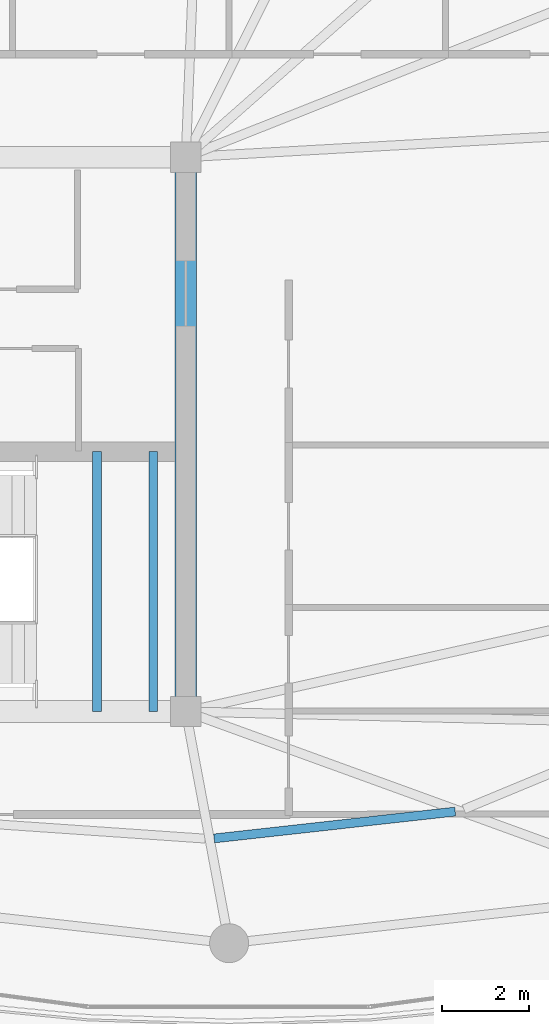
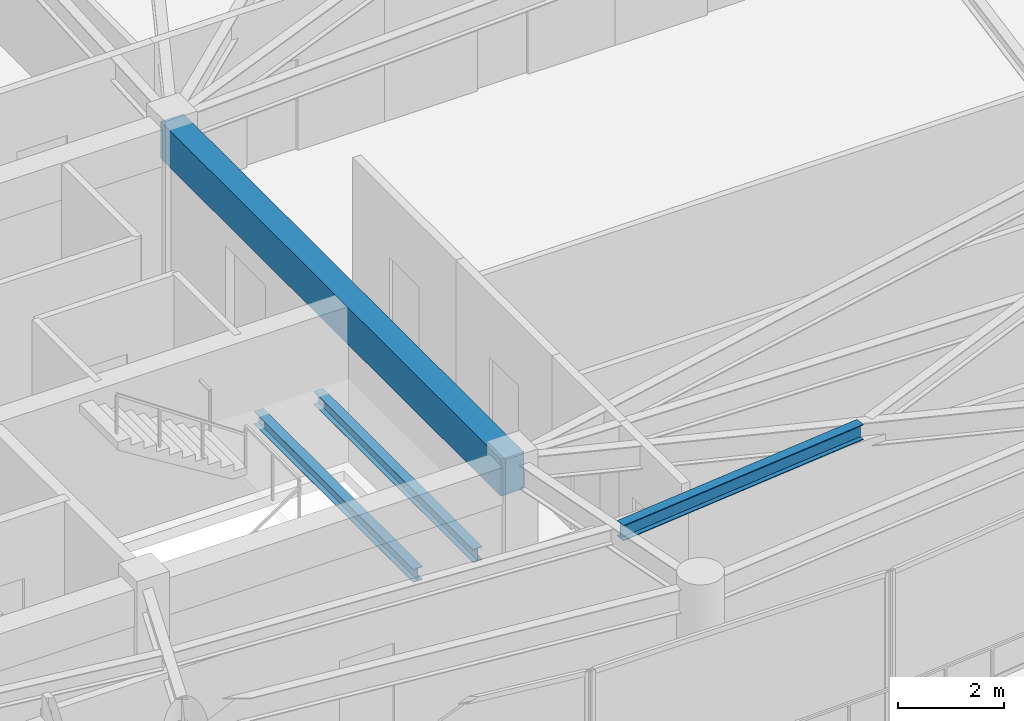
# One storey, part 8 of 30: 4 beams.
"""IFC4 building model written with IfcOpenShell, lengths in metres."""

from ifc_helpers import new_model, si_unit, direction, frame, origin, origin_2d, place, context, subcontext, project, spatial, rectangle, i_section, extrude, material, material_profile, profile_set, type_object, element, save


model = new_model("IFC4")

# Units and contexts
model_context = context("Model", 3, precision=1e-05, world=origin(), true_north=direction((0.0, 1.0)))
body_context = subcontext(model_context, "Body", "Model", "MODEL_VIEW")
ifc_project = project(units=[si_unit("LENGTHUNIT", "METRE"), si_unit("AREAUNIT", "SQUARE_METRE"), si_unit("VOLUMEUNIT", "CUBIC_METRE"), si_unit("PLANEANGLEUNIT", "RADIAN"), si_unit("MASSUNIT", "GRAM", prefix="KILO")], contexts=[model_context])

# Site, building, storey
site_placement = place(None, origin())
site = spatial("IfcSite", under=ifc_project, at=site_placement, CompositionType="ELEMENT")
building_placement = place(site_placement, origin())
building = spatial("IfcBuilding", under=site, at=building_placement, Name="Kazevale Care Tower and Concert Hall", CompositionType="ELEMENT")
storey_placement = place(building_placement, frame((0.0, 0.0, 258.60009765625)))
storey = spatial("IfcBuildingStorey", under=building, at=storey_placement, Name="L68", CompositionType="ELEMENT", Elevation=258.60009765625)

# Beams
ifc_material_1 = material(Name="Concrete C60", Category="concrete")
ifc_material_profile_1 = material_profile(ifc_material_1, rectangle(XDim=0.5, YDim=0.85009765625, at=origin_2d()), Name="RC-B500x850")
ifc_profile_set_1 = profile_set([ifc_material_profile_1], Name="Concrete C60")
beam_type_1 = type_object("IfcBeamType", Name="Core Coupling Beam RC500x850", PredefinedType="LINTEL", material=ifc_profile_set_1)
beam_1_placement = place(storey_placement, frame((44.0, 23.60009765625, 3.135009765625), z_axis=(0.0, 1.0, 0.0), x_axis=(-1.0, 0.0, 0.0)))
element("IfcBeam", 1, at=beam_1_placement, inside=storey, type_object=beam_type_1, Name="beam:L68:coretie:4", PredefinedType="LINTEL", context=body_context, shape_type="SweptSolid", body=[
    extrude(rectangle(XDim=0.5, YDim=0.85009765625, at=origin_2d()), origin(), (0.0, 0.0, 1.0), 12.7998046875),
])
ifc_material_2 = material(Name="Steel ASTM A572 Gr 50", Category="steel")
ifc_material_profile_2 = material_profile(ifc_material_2, i_section(OverallWidth=0.205078125, OverallDepth=0.35400390625, WebThickness=0.009521484375, FlangeThickness=0.016845703125, at=origin_2d()), Name="W360x79")
ifc_profile_set_2 = profile_set([ifc_material_profile_2], Name="Steel ASTM A572 Gr 50")
beam_type_2 = type_object("IfcBeamType", Name="Secondary Floor Joist W360x79", PredefinedType="JOIST", material=ifc_profile_set_2)
beam_2_placement = place(storey_placement, frame((44.654052734375, 20.6689453125, 3.3828125), z_axis=(0.99385286667, 0.110708985236, 0.0), x_axis=(-0.110708985236, 0.99385286667, 0.0)))
element("IfcBeam", 2, at=beam_2_placement, inside=storey, type_object=beam_type_2, Name="beam:L68:joist:13", PredefinedType="JOIST", context=body_context, shape_type="SweptSolid", body=[
    extrude(i_section(OverallWidth=0.205078125, OverallDepth=0.35400390625, WebThickness=0.009521484375, FlangeThickness=0.016845703125, at=origin_2d()), origin(), (0.0, 0.0, 1.0), 5.601318359375),
])
ifc_material_profile_3 = material_profile(ifc_material_2, i_section(OverallWidth=0.202880859375, OverallDepth=0.302978515625, WebThickness=0.007568359375, FlangeThickness=0.01318359375, at=origin_2d()), Name="W310x60")
ifc_profile_set_3 = profile_set([ifc_material_profile_3], Name="Steel ASTM A572 Gr 50")
beam_type_3 = type_object("IfcBeamType", Name="Stair & Balcony Trimmer W310x60", PredefinedType="BEAM", material=ifc_profile_set_3)
for number, where, z_axis, x_axis, name in (
    (3, (41.949951171875, 23.60009765625, 1.54833984375), (0.0, 1.0, 0.0), (-1.0, 0.0, 0.0), "beam:L68:sttrim:ST2"),
    (4, (43.25, 23.60009765625, 1.54833984375), (0.0, 1.0, 0.0), (-1.0, 0.0, 0.0), "beam:L68:sttrim:ST2b"),
):
    element("IfcBeam", number, at=place(storey_placement, frame(where, z_axis=z_axis, x_axis=x_axis)), inside=storey, type_object=beam_type_3, Name=name, PredefinedType="BEAM", context=body_context, shape_type="SweptSolid", body=[
        extrude(i_section(OverallWidth=0.202880859375, OverallDepth=0.302978515625, WebThickness=0.007568359375, FlangeThickness=0.01318359375, at=origin_2d()), origin(), (0.0, 0.0, 1.0), 6.0),
    ])

save(model, "model.ifc")
